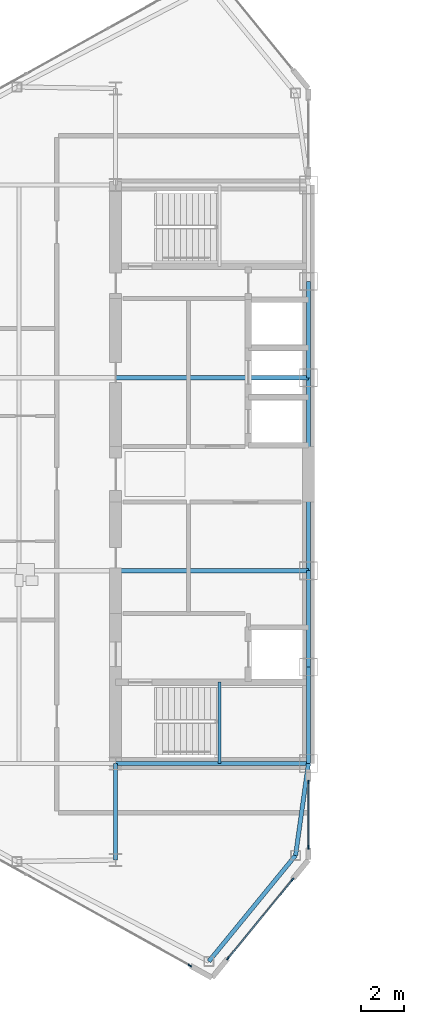
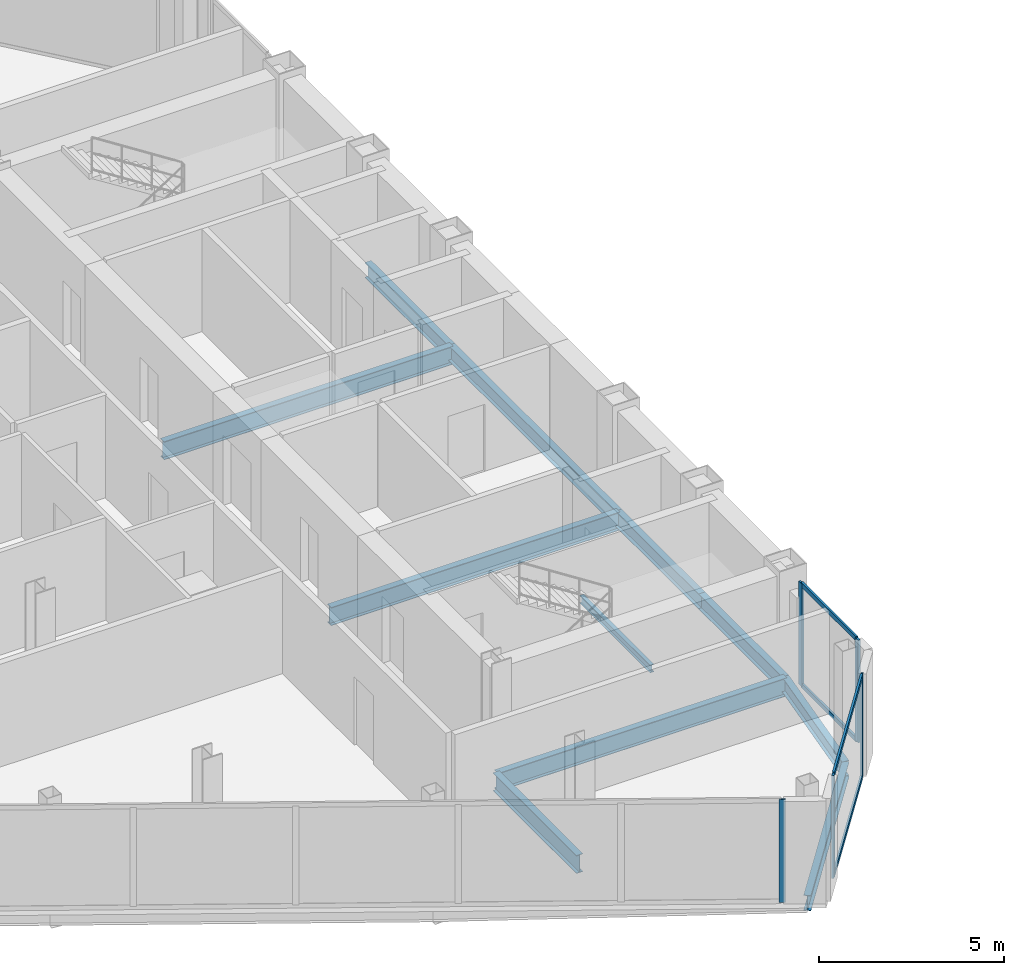
# One storey, part 7 of 25: 11 beams, 9 members, 3 elements without a shape of their own.
"""IFC4 building model written with IfcOpenShell, lengths in metres."""

from ifc_helpers import new_model, si_unit, direction, frame, origin, origin_2d, place, context, subcontext, project, spatial, rectangle, i_section, extrude, source, transform, mapped, material, layer, layer_set, material_profile, profile_set, type_object, type_shapes, element, aggregate, save


model = new_model("IFC4")

# Units and contexts
model_context = context("Model", 3, precision=1e-05, world=origin(), true_north=direction((0.0, 1.0)))
body_context = subcontext(model_context, "Body", "Model", "MODEL_VIEW")
ifc_project = project(units=[si_unit("LENGTHUNIT", "METRE"), si_unit("AREAUNIT", "SQUARE_METRE"), si_unit("VOLUMEUNIT", "CUBIC_METRE"), si_unit("PLANEANGLEUNIT", "RADIAN"), si_unit("MASSUNIT", "GRAM", prefix="KILO")], contexts=[model_context])

# Site, building, storey
site_placement = place(None, origin())
site = spatial("IfcSite", under=ifc_project, at=site_placement, CompositionType="ELEMENT")
building_placement = place(site_placement, origin())
building = spatial("IfcBuilding", under=site, at=building_placement, Name="Seokmaru Belvedere", CompositionType="ELEMENT")
storey_placement = place(building_placement, frame((0.0, 0.0, 185.10009765625)))
storey = spatial("IfcBuildingStorey", under=building, at=storey_placement, Name="L49", CompositionType="ELEMENT", Elevation=185.10009765625)

# Beams
ifc_material_1 = material(Name="Steel SM355 (355 MPa)", Category="steel")
ifc_material_profile_1 = material_profile(ifc_material_1, i_section(OverallWidth=0.199951171875, OverallDepth=0.5, WebThickness=0.010009765625, FlangeThickness=0.01611328125, at=origin_2d()), Name="H-500x200x10x16")
ifc_profile_set_1 = profile_set([ifc_material_profile_1], Name="Steel SM355 (355 MPa)")
beam_type_1 = type_object("IfcBeamType", Name="Perimeter Spandrel Beam H-500", PredefinedType="SPANDREL", material=ifc_profile_set_1)
shared_shape_1 = source(origin(), body_context, "Body", "SweptSolid", [
    extrude(i_section(OverallWidth=0.199951171875, OverallDepth=0.5, WebThickness=0.010009765625, FlangeThickness=0.01611328125, at=origin_2d()), origin(), (0.0, 0.0, 1.0), 4.5),
])
for number, where, z_axis, x_axis, name in (
    (1, (-27.5, -13.5, -0.47021484375), (0.0, 1.0, 0.0), (-1.0, 0.0, 0.0), "L49 W Portal Spine Spandrel 1"),
    (2, (-27.5, -9.0, -0.47021484375), (0.0, 1.0, 0.0), (-1.0, 0.0, 0.0), "L49 W Portal Spine Spandrel 2"),
    (3, (-27.5, 4.5, -0.47021484375), (0.0, 1.0, 0.0), (-1.0, 0.0, 0.0), "L49 W Portal Spine Spandrel 4"),
):
    element("IfcBeam", number, at=place(storey_placement, frame(where, z_axis=z_axis, x_axis=x_axis)), inside=storey, type_object=beam_type_1, Name=name, PredefinedType="SPANDREL", context=body_context, shape_type="MappedRepresentation", body=[
        mapped(shared_shape_1, transform((0.0, 0.0, 0.0), scale=1.0)),
    ])
shared_shape_2 = source(origin(), body_context, "Body", "SweptSolid", [
    extrude(i_section(OverallWidth=0.199951171875, OverallDepth=0.5, WebThickness=0.010009765625, FlangeThickness=0.01611328125, at=origin_2d()), origin(), (0.0, 0.0, 1.0), 9.0),
])
beam_1_placement = place(storey_placement, frame((-27.5, -4.5, -0.47021484375), z_axis=(0.0, 1.0, 0.0), x_axis=(-1.0, 0.0, 0.0)))
element("IfcBeam", 4, at=beam_1_placement, inside=storey, type_object=beam_type_1, Name="L49 W Portal Spine Spandrel 3", PredefinedType="SPANDREL", context=body_context, shape_type="MappedRepresentation", body=[
    mapped(shared_shape_2, transform((0.0, 0.0, 0.0), scale=1.0)),
])
ifc_material_profile_2 = material_profile(ifc_material_1, i_section(OverallWidth=0.199951171875, OverallDepth=0.60009765625, WebThickness=0.010986328125, FlangeThickness=0.01708984375, at=origin_2d()), Name="H-600x200x11x17")
ifc_profile_set_2 = profile_set([ifc_material_profile_2], Name="Steel SM355 (355 MPa)")
beam_type_2 = type_object("IfcBeamType", Name="Primary Floor Girder H-600", PredefinedType="BEAM", material=ifc_profile_set_2)
shared_shape_3 = source(origin(), body_context, "Body", "SweptSolid", [
    extrude(i_section(OverallWidth=0.199951171875, OverallDepth=0.60009765625, WebThickness=0.010986328125, FlangeThickness=0.01708984375, at=origin_2d()), origin(), (0.0, 0.0, 1.0), 9.0),
])
for number, where, z_axis, x_axis, name in (
    (5, (-36.5, -13.5, -0.52001953125), (1.0, 0.0, 0.0), (0.0, 1.0, 0.0), "L49 W Core Tie Girder 1"),
    (6, (-36.5, -4.5, -0.52001953125), (1.0, 0.0, 0.0), (0.0, 1.0, 0.0), "L49 W Core Tie Girder 2"),
    (7, (-36.5, 4.5, -0.52001953125), (1.0, 0.0, 0.0), (0.0, 1.0, 0.0), "L49 W Core Tie Girder 3"),
):
    element("IfcBeam", number, at=place(storey_placement, frame(where, z_axis=z_axis, x_axis=x_axis)), inside=storey, type_object=beam_type_2, Name=name, PredefinedType="BEAM", context=body_context, shape_type="MappedRepresentation", body=[
        mapped(shared_shape_3, transform((0.0, 0.0, 0.0), scale=1.0)),
    ])
shared_shape_4 = source(origin(), body_context, "Body", "SweptSolid", [
    extrude(i_section(OverallWidth=0.199951171875, OverallDepth=0.60009765625, WebThickness=0.010986328125, FlangeThickness=0.01708984375, at=origin_2d()), origin(), (0.0, 0.0, 1.0), 4.5),
])
type_shapes(beam_type_2, [shared_shape_3, shared_shape_4])
beam_2_placement = place(storey_placement, frame((-36.5, -18.0, -0.52001953125), z_axis=(0.0, 1.0, 0.0), x_axis=(-1.0, 0.0, 0.0)))
element("IfcBeam", 8, at=beam_2_placement, inside=storey, type_object=beam_type_2, Name="L49 W Core Shoulder Girder S", PredefinedType="BEAM", context=body_context, shape_type="MappedRepresentation", body=[
    mapped(shared_shape_4, transform((0.0, 0.0, 0.0), scale=1.0)),
])
shared_shape_5 = source(origin(), body_context, "Body", "SweptSolid", [
    extrude(i_section(OverallWidth=0.199951171875, OverallDepth=0.5, WebThickness=0.010009765625, FlangeThickness=0.01611328125, at=origin_2d()), origin(), (0.0, 0.0, 1.0), 6.390380859375),
])
beam_3_placement = place(storey_placement, frame((-32.146728515625, -22.731689453125, -0.47021484375), z_axis=(0.63324403161, 0.7739521926, 0.0), x_axis=(-0.7739521926, 0.63324403161, 0.0)))
element("IfcBeam", 9, at=beam_3_placement, inside=storey, type_object=beam_type_1, Name="L49 W Shoulder Chamfer Spandrel S", PredefinedType="SPANDREL", context=body_context, shape_type="MappedRepresentation", body=[
    mapped(shared_shape_5, transform((0.0, 0.0, 0.0), scale=1.0)),
])
shared_shape_6 = source(origin(), body_context, "Body", "SweptSolid", [
    extrude(i_section(OverallWidth=0.199951171875, OverallDepth=0.5, WebThickness=0.010009765625, FlangeThickness=0.01611328125, at=origin_2d()), origin(), (0.0, 0.0, 1.0), 4.32763671875),
])
type_shapes(beam_type_1, [shared_shape_1, shared_shape_2, shared_shape_5, shared_shape_6])
beam_4_placement = place(storey_placement, frame((-28.10009765625, -17.785888671875, -0.47021484375), z_axis=(0.138664443237, 0.990339422714, 0.0), x_axis=(-0.990339422714, 0.138664443237, 0.0)))
element("IfcBeam", 10, at=beam_4_placement, inside=storey, type_object=beam_type_1, Name="L49 W Shoulder Spine Spandrel S", PredefinedType="SPANDREL", context=body_context, shape_type="MappedRepresentation", body=[
    mapped(shared_shape_6, transform((0.0, 0.0, 0.0), scale=1.0)),
])

# Curtain wall, members
ifc_material_2 = material(Name="Bronze Triple Insulating Glass", Category="glass")
ifc_layer = layer(ifc_material_2, 0.179931640625)
ifc_layer_set = layer_set([ifc_layer], Name="Bronze Triple Insulating Glass")
curtain_wall_type = type_object("IfcCurtainWallType", Name="High-Rise Wind-Corner Curtain Wall System CW-5", PredefinedType="NOTDEFINED", material=ifc_layer_set)
curtain_wall_1_placement = place(storey_placement, origin())
curtain_wall_1 = element("IfcCurtainWall", 11, at=curtain_wall_1_placement, inside=storey, type_object=curtain_wall_type, Name="L49 Curtain Wall WSP_1", PredefinedType="NOTDEFINED")
ifc_material_3 = material(Name="Anodised Bronze Aluminium", Category="aluminium")
ifc_material_profile_3 = material_profile(ifc_material_3, rectangle(XDim=0.06494140625, YDim=0.14990234375, at=origin_2d()), Name="CW-T-65x150")
ifc_profile_set_3 = profile_set([ifc_material_profile_3], Name="Anodised Bronze Aluminium")
member_type_1 = type_object("IfcMemberType", Name="Bronze Unitised Transom 65x150", PredefinedType="USERDEFINED", material=ifc_profile_set_3)
shared_shape_7 = source(origin(), body_context, "Body", "SweptSolid", [
    extrude(rectangle(XDim=0.06494140625, YDim=0.14990234375, at=origin_2d()), origin(), (0.0, 0.0, 1.0), 2.969970703125),
])
member_1_placement = place(storey_placement, frame((-27.5, -17.364990234375, 0.032470703125), z_axis=(0.0, 1.0, 0.0), x_axis=(-1.0, 0.0, 0.0)))
member_1 = element("IfcMember", 12, at=member_1_placement, type_object=member_type_1, Name="CW:L49:WSP_1 Continuous Transom 1", ObjectType="TRANSOM", PredefinedType="USERDEFINED", context=body_context, shape_type="MappedRepresentation", body=[
    mapped(shared_shape_7, transform((0.0, 0.0, 0.0), scale=1.0)),
])
member_2_placement = place(storey_placement, frame((-27.5, -17.364990234375, 3.347412109375), z_axis=(0.0, 1.0, 0.0), x_axis=(-1.0, 0.0, 0.0)))
member_2 = element("IfcMember", 13, at=member_2_placement, type_object=member_type_1, Name="CW:L49:WSP_1 Continuous Transom 2", ObjectType="TRANSOM", PredefinedType="USERDEFINED", context=body_context, shape_type="MappedRepresentation", body=[
    mapped(shared_shape_7, transform((0.0, 0.0, 0.0), scale=1.0)),
])

curtain_wall_2_placement = place(storey_placement, origin())
curtain_wall_2 = element("IfcCurtainWall", 14, at=curtain_wall_2_placement, inside=storey, type_object=curtain_wall_type, Name="L49 Curtain Wall WF6", PredefinedType="NOTDEFINED")
shared_shape_8 = source(origin(), body_context, "Body", "SweptSolid", [
    extrude(rectangle(XDim=0.06494140625, YDim=0.14990234375, at=origin_2d()), origin(), (0.0, 0.0, 1.0), 4.67626953125),
])
type_shapes(member_type_1, [shared_shape_7, shared_shape_8])
member_3_placement = place(storey_placement, frame((-31.230712890625, -22.5595703125, 0.032470703125), z_axis=(0.633277591216, 0.773924733074, 0.0), x_axis=(-0.773924733074, 0.633277591216, 0.0)))
member_3 = element("IfcMember", 15, at=member_3_placement, type_object=member_type_1, Name="CW:L49:WF6 Continuous Transom 1", ObjectType="TRANSOM", PredefinedType="USERDEFINED", context=body_context, shape_type="MappedRepresentation", body=[
    mapped(shared_shape_8, transform((0.0, 0.0, 0.0), scale=1.0)),
])
member_4_placement = place(storey_placement, frame((-31.230712890625, -22.5595703125, 3.347412109375), z_axis=(0.633277591216, 0.773924733074, 0.0), x_axis=(-0.773924733074, 0.633277591216, 0.0)))
member_4 = element("IfcMember", 16, at=member_4_placement, type_object=member_type_1, Name="CW:L49:WF6 Continuous Transom 2", ObjectType="TRANSOM", PredefinedType="USERDEFINED", context=body_context, shape_type="MappedRepresentation", body=[
    mapped(shared_shape_8, transform((0.0, 0.0, 0.0), scale=1.0)),
])

# Member
ifc_material_profile_4 = material_profile(ifc_material_3, rectangle(XDim=0.06494140625, YDim=0.179931640625, at=origin_2d()), Name="CW-M-65x180")
ifc_profile_set_4 = profile_set([ifc_material_profile_4], Name="Anodised Bronze Aluminium")
member_type_2 = type_object("IfcMemberType", Name="Bronze Unitised Mullion 65x180", PredefinedType="MULLION", material=ifc_profile_set_4)
shared_shape_9 = source(origin(), body_context, "Body", "SweptSolid", [
    extrude(rectangle(XDim=0.06494140625, YDim=0.179931640625, at=origin_2d()), origin(), (0.0, 0.0, 1.0), 3.3798828125),
])
type_shapes(member_type_2, [shared_shape_9])
member_5_placement = place(storey_placement, frame((-27.5, -17.3974609375, 0.0), z_axis=(0.0, 0.0, 1.0), x_axis=(-1.0, 0.0, 0.0)))
member_5 = element("IfcMember", 17, at=member_5_placement, type_object=member_type_2, Name="CW:L49:WSP_1 Mullion 1", PredefinedType="MULLION", context=body_context, shape_type="MappedRepresentation", body=[
    mapped(shared_shape_9, transform((0.0, 0.0, 0.0), scale=1.0)),
])

member_6_placement = place(storey_placement, frame((-27.5, -14.362548828125, 0.0), z_axis=(0.0, 0.0, 1.0), x_axis=(-1.0, 0.0, 0.0)))
member_6 = element("IfcMember", 18, at=member_6_placement, type_object=member_type_2, Name="CW:L49:WSP_1 Mullion 2", PredefinedType="MULLION", context=body_context, shape_type="MappedRepresentation", body=[
    mapped(shared_shape_9, transform((0.0, 0.0, 0.0), scale=1.0)),
])

aggregate(curtain_wall_1, [member_5, member_6, member_1, member_2])

# Curtain wall, member
curtain_wall_3_placement = place(storey_placement, origin())
curtain_wall_3 = element("IfcCurtainWall", 19, at=curtain_wall_3_placement, inside=storey, type_object=curtain_wall_type, Name="L49 Curtain Wall WF5", PredefinedType="NOTDEFINED")
member_7_placement = place(storey_placement, frame((-33.033447265625, -22.92529296875, 0.0), z_axis=(0.0, 0.0, 1.0), x_axis=(0.486047125147, 0.873932601598, 0.0)))
member_7 = element("IfcMember", 20, at=member_7_placement, type_object=member_type_2, Name="CW:L49:WF5 Mullion 10", PredefinedType="MULLION", context=body_context, shape_type="MappedRepresentation", body=[
    mapped(shared_shape_9, transform((0.0, 0.0, 0.0), scale=1.0)),
])
aggregate(curtain_wall_3, [member_7])

# Member
member_8_placement = place(storey_placement, frame((-31.251220703125, -22.584716796875, 0.0), z_axis=(0.0, 0.0, 1.0), x_axis=(-0.773944112379, 0.633253907144, 0.0)))
member_8 = element("IfcMember", 21, at=member_8_placement, type_object=member_type_2, Name="CW:L49:WF6 Mullion 1", PredefinedType="MULLION", context=body_context, shape_type="MappedRepresentation", body=[
    mapped(shared_shape_9, transform((0.0, 0.0, 0.0), scale=1.0)),
])

member_9_placement = place(storey_placement, frame((-28.248779296875, -18.915283203125, 0.0), z_axis=(0.0, 0.0, 1.0), x_axis=(-0.773944112379, 0.633253907144, 0.0)))
member_9 = element("IfcMember", 22, at=member_9_placement, type_object=member_type_2, Name="CW:L49:WF6 Mullion 2", PredefinedType="MULLION", context=body_context, shape_type="MappedRepresentation", body=[
    mapped(shared_shape_9, transform((0.0, 0.0, 0.0), scale=1.0)),
])

aggregate(curtain_wall_2, [member_8, member_9, member_3, member_4])

# Beam
ifc_material_profile_5 = material_profile(ifc_material_1, i_section(OverallWidth=0.125, OverallDepth=0.25, WebThickness=0.006103515625, FlangeThickness=0.009033203125, at=origin_2d()), Name="H-250x125x6x9")
ifc_profile_set_5 = profile_set([ifc_material_profile_5], Name="Steel SM355 (355 MPa)")
beam_type_3 = type_object("IfcBeamType", Name="Stair Mid-Landing Support Beam H-250", PredefinedType="JOIST", material=ifc_profile_set_5)
shared_shape_10 = source(origin(), body_context, "Body", "SweptSolid", [
    extrude(i_section(OverallWidth=0.125, OverallDepth=0.25, WebThickness=0.006103515625, FlangeThickness=0.009033203125, at=origin_2d()), origin(), (0.0, 0.0, 1.0), 3.800048828125),
])
type_shapes(beam_type_3, [shared_shape_10])
beam_5_placement = place(storey_placement, frame((-31.64990234375, -13.5, 1.474853515625), z_axis=(0.0, 1.0, 0.0), x_axis=(-1.0, 0.0, 0.0)))
element("IfcBeam", 23, at=beam_5_placement, inside=storey, type_object=beam_type_3, Name="L49 Stair ST-W1 Mid-Landing Support Beam 1", PredefinedType="JOIST", context=body_context, shape_type="MappedRepresentation", body=[
    mapped(shared_shape_10, transform((0.0, 0.0, 0.0), scale=1.0)),
])

save(model, "model.ifc")
